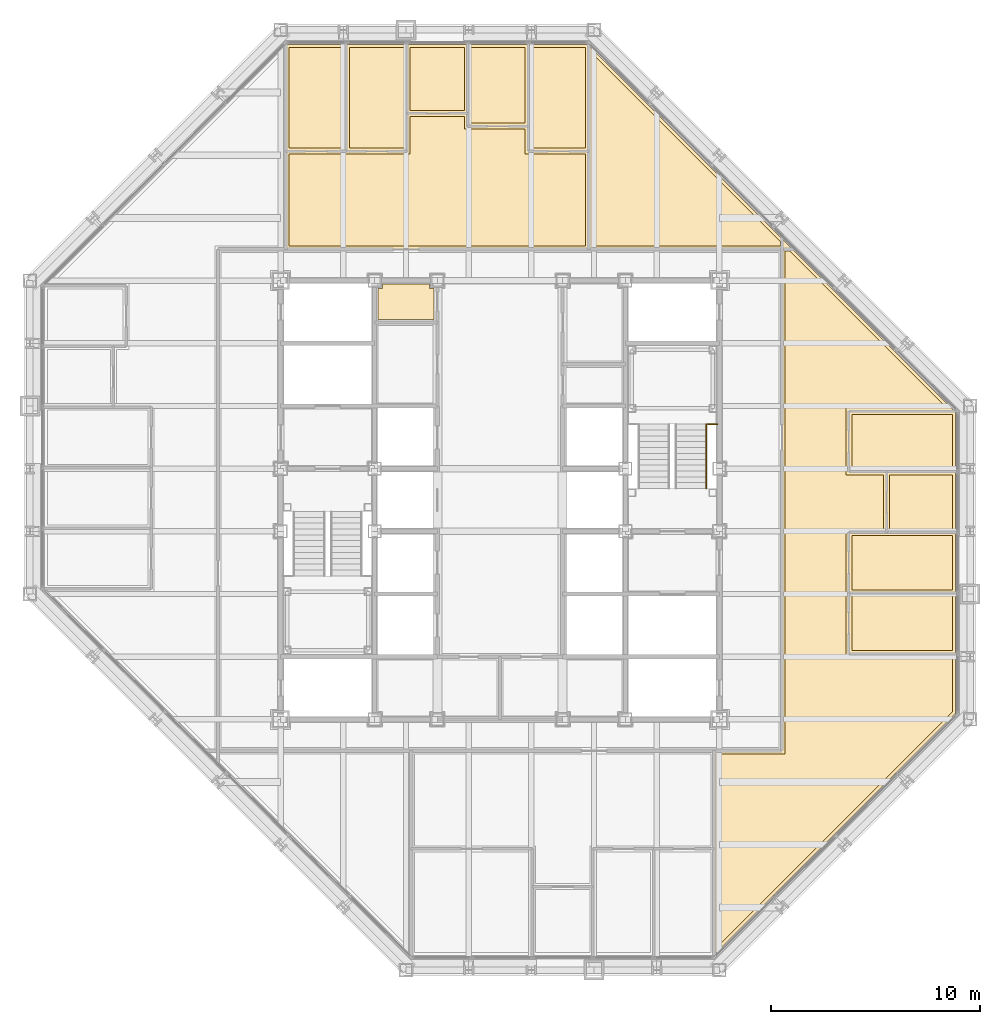
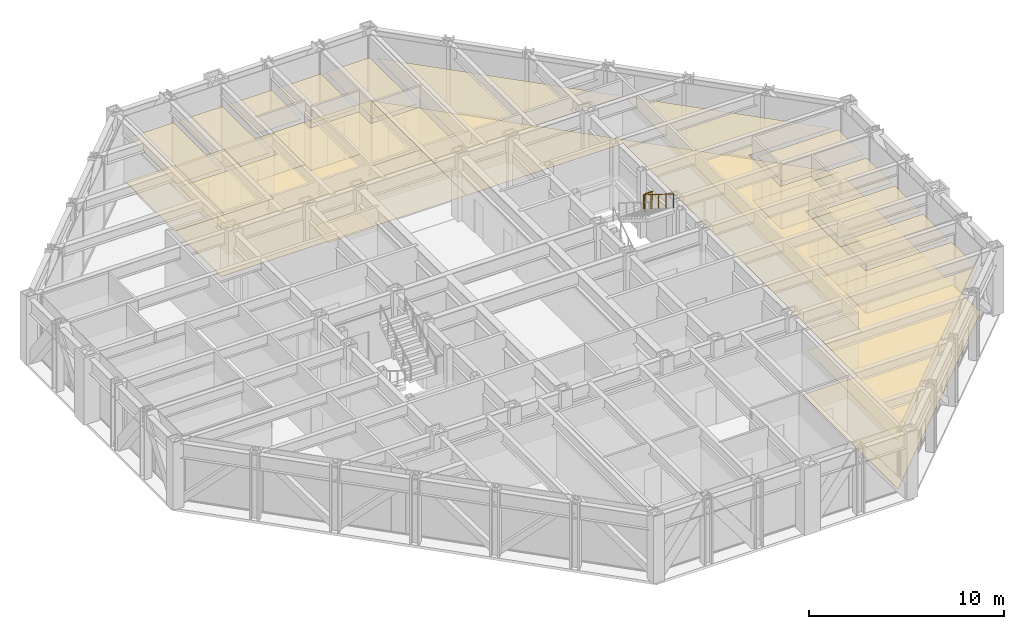
# One storey, part 16 of 16: 24 coverings, 2 railings.
"""IFC4 building model written with IfcOpenShell, lengths in metres."""

from ifc_helpers import new_model, si_unit, direction, frame, origin, origin_2d, place, context, subcontext, project, spatial, polyline, circle, outline, extrude, material, layer, layer_set, type_object, element, save


model = new_model("IFC4")

# Units and contexts
model_context = context("Model", 3, precision=1e-05, world=origin(), true_north=direction((0.0, 1.0)))
body_context = subcontext(model_context, "Body", "Model", "MODEL_VIEW")
ifc_project = project(units=[si_unit("LENGTHUNIT", "METRE"), si_unit("AREAUNIT", "SQUARE_METRE"), si_unit("VOLUMEUNIT", "CUBIC_METRE"), si_unit("PLANEANGLEUNIT", "RADIAN"), si_unit("MASSUNIT", "GRAM", prefix="KILO")], contexts=[model_context])

# Site, building, storey
site_placement = place(None, origin())
site = spatial("IfcSite", under=ifc_project, at=site_placement, CompositionType="ELEMENT")
building_placement = place(site_placement, origin())
building = spatial("IfcBuilding", under=site, at=building_placement, Name="Chuquiago Exchange Tower", CompositionType="ELEMENT")
storey_placement = place(building_placement, frame((0.0, 0.0, 205.5)))
storey = spatial("IfcBuildingStorey", under=building, at=storey_placement, Name="L45", CompositionType="ELEMENT", Elevation=205.5)

# Coverings
ifc_material_1 = material(Name="Mineral fibre tile, 600 x 600, on pale metal grid", Category="mineral fibre")
ifc_layer_1 = layer(ifc_material_1, 0.02001953125)
ifc_layer_set_1 = layer_set([ifc_layer_1], Name="CL1 suspended tile ceiling 20")
covering_type_1 = type_object("IfcCoveringType", Name="CL1 suspended tile ceiling 20", PredefinedType="CEILING", material=ifc_layer_set_1)
covering_1_placement = place(storey_placement, frame((0.0, 0.0, 2.800048828125)))
element("IfcCovering", 1, at=covering_1_placement, inside=storey, type_object=covering_type_1, Name="Ceiling Office", PredefinedType="CEILING", context=body_context, shape_type="SweptSolid", body=[
    extrude(outline(polyline([(39.35009765625, 15.299072265625), (39.35009765625, 17.899658203125), (44.14990234375, 17.899658203125), (44.14990234375, 15.299072265625), (39.35009765625, 15.299072265625)])), origin(), (0.0, 0.0, 1.0), 0.02001953125),
])
covering_2_placement = place(storey_placement, frame((0.0, 0.0, 2.800048828125)))
element("IfcCovering", 2, at=covering_2_placement, inside=storey, type_object=covering_type_1, Name="Ceiling Office", PredefinedType="CEILING", context=body_context, shape_type="SweptSolid", body=[
    extrude(outline(polyline([(39.35009765625, 18.19970703125), (39.35009765625, 20.80029296875), (44.14990234375, 20.80029296875), (44.14990234375, 18.19970703125), (39.35009765625, 18.19970703125)])), origin(), (0.0, 0.0, 1.0), 0.02001953125),
])
covering_3_placement = place(storey_placement, frame((0.0, 0.0, 2.800048828125)))
element("IfcCovering", 3, at=covering_3_placement, inside=storey, type_object=covering_type_1, Name="Ceiling Focus room", PredefinedType="CEILING", context=body_context, shape_type="SweptSolid", body=[
    extrude(outline(polyline([(41.14990234375, 21.100341796875), (41.14990234375, 23.700927734375), (44.14990234375, 23.700927734375), (44.14990234375, 21.100341796875), (41.14990234375, 21.100341796875)])), origin(), (0.0, 0.0, 1.0), 0.02001953125),
])
covering_4_placement = place(storey_placement, frame((0.0, 0.0, 2.800048828125)))
element("IfcCovering", 4, at=covering_4_placement, inside=storey, type_object=covering_type_1, Name="Ceiling Meeting room", PredefinedType="CEILING", context=body_context, shape_type="SweptSolid", body=[
    extrude(outline(polyline([(44.14990234375, 24.0009765625), (39.35009765625, 24.0009765625), (39.35009765625, 26.6015625), (44.14990234375, 26.6015625), (44.14990234375, 24.0009765625)])), origin(), (0.0, 0.0, 1.0), 0.02001953125),
])
covering_5_placement = place(storey_placement, frame((0.0, 0.0, 2.800048828125)))
element("IfcCovering", 5, at=covering_5_placement, inside=storey, type_object=covering_type_1, Name="Ceiling Office", PredefinedType="CEILING", context=body_context, shape_type="SweptSolid", body=[
    extrude(outline(polyline([(14.9990234375, 44.14990234375), (14.9990234375, 39.35009765625), (12.3984375, 39.35009765625), (12.3984375, 44.14990234375), (14.9990234375, 44.14990234375)])), origin(), (0.0, 0.0, 1.0), 0.02001953125),
])
covering_6_placement = place(storey_placement, frame((0.0, 0.0, 2.800048828125)))
element("IfcCovering", 6, at=covering_6_placement, inside=storey, type_object=covering_type_1, Name="Ceiling Office", PredefinedType="CEILING", context=body_context, shape_type="SweptSolid", body=[
    extrude(outline(polyline([(17.899658203125, 39.35009765625), (15.299072265625, 39.35009765625), (15.299072265625, 44.14990234375), (17.899658203125, 44.14990234375), (17.899658203125, 39.35009765625)])), origin(), (0.0, 0.0, 1.0), 0.02001953125),
])
covering_7_placement = place(storey_placement, frame((0.0, 0.0, 2.800048828125)))
element("IfcCovering", 7, at=covering_7_placement, inside=storey, type_object=covering_type_1, Name="Ceiling Focus room", PredefinedType="CEILING", context=body_context, shape_type="SweptSolid", body=[
    extrude(outline(polyline([(20.80029296875, 41.14990234375), (18.19970703125, 41.14990234375), (18.19970703125, 44.14990234375), (20.80029296875, 44.14990234375), (20.80029296875, 41.14990234375)])), origin(), (0.0, 0.0, 1.0), 0.02001953125),
])
covering_8_placement = place(storey_placement, frame((0.0, 0.0, 2.800048828125)))
element("IfcCovering", 8, at=covering_8_placement, inside=storey, type_object=covering_type_1, Name="Ceiling Pantry", PredefinedType="CEILING", context=body_context, shape_type="SweptSolid", body=[
    extrude(outline(polyline([(23.700927734375, 40.550048828125), (21.100341796875, 40.550048828125), (21.100341796875, 44.14990234375), (23.700927734375, 44.14990234375), (23.700927734375, 40.550048828125)])), origin(), (0.0, 0.0, 1.0), 0.02001953125),
])
covering_9_placement = place(storey_placement, frame((0.0, 0.0, 2.800048828125)))
element("IfcCovering", 9, at=covering_9_placement, inside=storey, type_object=covering_type_1, Name="Ceiling Meeting room", PredefinedType="CEILING", context=body_context, shape_type="SweptSolid", body=[
    extrude(outline(polyline([(26.6015625, 39.35009765625), (24.0009765625, 39.35009765625), (24.0009765625, 44.14990234375), (26.6015625, 44.14990234375), (26.6015625, 39.35009765625)])), origin(), (0.0, 0.0, 1.0), 0.02001953125),
])
covering_10_placement = place(storey_placement, frame((0.0, 0.0, 2.800048828125)))
element("IfcCovering", 10, at=covering_10_placement, inside=storey, type_object=covering_type_1, Name="Ceiling Open office north suite", PredefinedType="CEILING", context=body_context, shape_type="SweptSolid", body=[
    extrude(outline(polyline([(18.19970703125, 39.050048828125), (18.19970703125, 40.85009765625), (20.80029296875, 40.85009765625), (20.80029296875, 40.25), (23.700927734375, 40.25), (23.700927734375, 39.050048828125), (26.60107421875, 39.050048828125), (26.60107421875, 34.650390625), (12.39892578125, 34.650390625), (12.39892578125, 39.050048828125), (18.19970703125, 39.050048828125)])), origin(), (0.0, 0.0, 1.0), 0.02001953125),
])
covering_11_placement = place(storey_placement, frame((0.0, 0.0, 2.800048828125)))
element("IfcCovering", 11, at=covering_11_placement, inside=storey, type_object=covering_type_1, Name="Ceiling Open office east suite", PredefinedType="CEILING", context=body_context, shape_type="SweptSolid", body=[
    extrude(outline(polyline([(43.896484375, 26.901611328125), (39.050048828125, 26.901611328125), (39.050048828125, 23.700927734375), (40.85009765625, 23.700927734375), (40.85009765625, 21.100341796875), (39.050048828125, 21.100341796875), (39.050048828125, 14.9990234375), (44.14990234375, 14.9990234375), (44.14990234375, 12.35205078125), (32.902099609375, 1.10400390625), (32.902099609375, 10.349609375), (36.150390625, 10.35009765625), (36.150390625, 34.4150390625), (36.383056640625, 34.4150390625), (43.896484375, 26.901611328125)])), origin(), (0.0, 0.0, 1.0), 0.02001953125),
])
covering_12_placement = place(storey_placement, frame((0.0, 0.0, 2.800048828125)))
element("IfcCovering", 12, at=covering_12_placement, inside=storey, type_object=covering_type_1, Name="Ceiling Open office east suite", PredefinedType="CEILING", context=body_context, shape_type="SweptSolid", body=[
    extrude(outline(polyline([(26.902099609375, 34.650390625), (26.902099609375, 43.89599609375), (35.9150390625, 34.883056640625), (35.9150390625, 34.64990234375), (26.902099609375, 34.650390625)])), origin(), (0.0, 0.0, 1.0), 0.02001953125),
])
ifc_material_2 = material(Name="Moisture resistant plasterboard on metal frame", Category="gypsum")
ifc_layer_2 = layer(ifc_material_2, 0.014892578125)
ifc_layer_set_2 = layer_set([ifc_layer_2], Name="CL2 moisture resistant ceiling 15")
covering_type_2 = type_object("IfcCoveringType", Name="CL2 moisture resistant ceiling 15", PredefinedType="CEILING", material=ifc_layer_set_2)
covering_13_placement = place(storey_placement, frame((0.0, 0.0, 2.60009765625)))
element("IfcCovering", 13, at=covering_13_placement, inside=storey, type_object=covering_type_2, Name="Ceiling Staff shower room", PredefinedType="CEILING", context=body_context, shape_type="SweptSolid", body=[
    extrude(outline(polyline([(16.64990234375, 31.14990234375), (16.64990234375, 32.625), (16.875, 32.625), (16.875, 32.85009765625), (19.125, 32.85009765625), (19.125, 32.625), (19.35009765625, 32.625), (19.35009765625, 31.14990234375), (16.64990234375, 31.14990234375)])), origin(), (0.0, 0.0, 1.0), 0.014892578125),
])
ifc_material_3 = material(Name="Carpet tile, 500 x 500, on the floor slab", Category="textile")
ifc_layer_3 = layer(ifc_material_3, 0.010009765625)
ifc_layer_set_3 = layer_set([ifc_layer_3], Name="FL1 carpet tile 10")
covering_type_3 = type_object("IfcCoveringType", Name="FL1 carpet tile 10", PredefinedType="FLOORING", material=ifc_layer_set_3)
covering_14_placement = place(storey_placement, origin())
element("IfcCovering", 14, at=covering_14_placement, inside=storey, type_object=covering_type_3, Name="Floor finish Office", PredefinedType="FLOORING", context=body_context, shape_type="SweptSolid", body=[
    extrude(outline(polyline([(44.300048828125, 15.149169921875), (39.199951171875, 15.149169921875), (39.199951171875, 18.0498046875), (44.300048828125, 18.0498046875), (44.300048828125, 15.149169921875)])), origin(), (0.0, 0.0, 1.0), 0.010009765625),
])
covering_15_placement = place(storey_placement, origin())
element("IfcCovering", 15, at=covering_15_placement, inside=storey, type_object=covering_type_3, Name="Floor finish Office", PredefinedType="FLOORING", context=body_context, shape_type="SweptSolid", body=[
    extrude(outline(polyline([(44.300048828125, 18.0498046875), (39.199951171875, 18.0498046875), (39.199951171875, 20.9501953125), (44.300048828125, 20.9501953125), (44.300048828125, 18.0498046875)])), origin(), (0.0, 0.0, 1.0), 0.010009765625),
])
covering_16_placement = place(storey_placement, origin())
element("IfcCovering", 16, at=covering_16_placement, inside=storey, type_object=covering_type_3, Name="Floor finish Focus room", PredefinedType="FLOORING", context=body_context, shape_type="SweptSolid", body=[
    extrude(outline(polyline([(44.300048828125, 20.9501953125), (41.0, 20.9501953125), (41.0, 23.850830078125), (44.300048828125, 23.850830078125), (44.300048828125, 20.9501953125)])), origin(), (0.0, 0.0, 1.0), 0.010009765625),
])
covering_17_placement = place(storey_placement, origin())
element("IfcCovering", 17, at=covering_17_placement, inside=storey, type_object=covering_type_3, Name="Floor finish Meeting room", PredefinedType="FLOORING", context=body_context, shape_type="SweptSolid", body=[
    extrude(outline(polyline([(44.300048828125, 26.710205078125), (44.300048828125, 23.850830078125), (39.199951171875, 23.850830078125), (39.199951171875, 26.75146484375), (44.258544921875, 26.75146484375), (44.300048828125, 26.710205078125)])), origin(), (0.0, 0.0, 1.0), 0.010009765625),
])
covering_18_placement = place(storey_placement, origin())
element("IfcCovering", 18, at=covering_18_placement, inside=storey, type_object=covering_type_3, Name="Floor finish Office", PredefinedType="FLOORING", context=body_context, shape_type="SweptSolid", body=[
    extrude(outline(polyline([(12.289794921875, 44.300048828125), (15.149169921875, 44.300048828125), (15.149169921875, 39.199951171875), (12.24853515625, 39.199951171875), (12.24853515625, 44.258544921875), (12.289794921875, 44.300048828125)])), origin(), (0.0, 0.0, 1.0), 0.010009765625),
])
covering_19_placement = place(storey_placement, origin())
element("IfcCovering", 19, at=covering_19_placement, inside=storey, type_object=covering_type_3, Name="Floor finish Office", PredefinedType="FLOORING", context=body_context, shape_type="SweptSolid", body=[
    extrude(outline(polyline([(18.0498046875, 44.300048828125), (18.0498046875, 39.199951171875), (15.149169921875, 39.199951171875), (15.149169921875, 44.300048828125), (18.0498046875, 44.300048828125)])), origin(), (0.0, 0.0, 1.0), 0.010009765625),
])
covering_20_placement = place(storey_placement, origin())
element("IfcCovering", 20, at=covering_20_placement, inside=storey, type_object=covering_type_3, Name="Floor finish Focus room", PredefinedType="FLOORING", context=body_context, shape_type="SweptSolid", body=[
    extrude(outline(polyline([(20.9501953125, 44.300048828125), (20.9501953125, 41.0), (18.0498046875, 41.0), (18.0498046875, 44.300048828125), (20.9501953125, 44.300048828125)])), origin(), (0.0, 0.0, 1.0), 0.010009765625),
])
covering_21_placement = place(storey_placement, origin())
element("IfcCovering", 21, at=covering_21_placement, inside=storey, type_object=covering_type_3, Name="Floor finish Meeting room", PredefinedType="FLOORING", context=body_context, shape_type="SweptSolid", body=[
    extrude(outline(polyline([(26.710205078125, 44.300048828125), (26.75146484375, 44.258544921875), (26.75146484375, 39.199951171875), (23.850830078125, 39.199951171875), (23.850830078125, 44.300048828125), (26.710205078125, 44.300048828125)])), origin(), (0.0, 0.0, 1.0), 0.010009765625),
])
covering_22_placement = place(storey_placement, origin())
element("IfcCovering", 22, at=covering_22_placement, inside=storey, type_object=covering_type_3, Name="Floor finish Open office north suite", PredefinedType="FLOORING", context=body_context, shape_type="SweptSolid", body=[
    extrude(outline(polyline([(12.2490234375, 39.199951171875), (18.0498046875, 39.199951171875), (18.0498046875, 41.0), (20.9501953125, 41.0), (20.9501953125, 40.39990234375), (23.850830078125, 40.39990234375), (23.850830078125, 39.199951171875), (26.7509765625, 39.199951171875), (26.7509765625, 34.50048828125), (12.2490234375, 34.50048828125), (12.2490234375, 39.199951171875)])), origin(), (0.0, 0.0, 1.0), 0.010009765625),
])
covering_23_placement = place(storey_placement, origin())
element("IfcCovering", 23, at=covering_23_placement, inside=storey, type_object=covering_type_3, Name="Floor finish Open office east suite", PredefinedType="FLOORING", context=body_context, shape_type="SweptSolid", body=[
    extrude(outline(polyline([(44.258544921875, 26.75146484375), (39.199951171875, 26.75146484375), (39.199951171875, 23.850830078125), (41.0, 23.850830078125), (41.0, 20.9501953125), (39.199951171875, 20.9501953125), (39.199951171875, 15.149169921875), (44.300048828125, 15.149169921875), (44.300048828125, 12.289794921875), (32.751953125, 0.741943359375), (32.751953125, 10.49951171875), (36.00048828125, 10.5), (36.00048828125, 34.5), (26.751953125, 34.50048828125), (26.751953125, 44.258056640625), (44.258544921875, 26.75146484375)])), origin(), (0.0, 0.0, 1.0), 0.010009765625),
])
ifc_material_4 = material(Name="Porcelain floor tile, 600 x 600, on adhesive bed", Category="ceramic")
ifc_layer_4 = layer(ifc_material_4, 0.014892578125)
ifc_layer_set_4 = layer_set([ifc_layer_4], Name="FL2 porcelain tile 15")
covering_type_4 = type_object("IfcCoveringType", Name="FL2 porcelain tile 15", PredefinedType="FLOORING", material=ifc_layer_set_4)
covering_24_placement = place(storey_placement, origin())
element("IfcCovering", 24, at=covering_24_placement, inside=storey, type_object=covering_type_4, Name="Floor finish Pantry", PredefinedType="FLOORING", context=body_context, shape_type="SweptSolid", body=[
    extrude(outline(polyline([(23.850830078125, 44.300048828125), (23.850830078125, 40.39990234375), (20.9501953125, 40.39990234375), (20.9501953125, 44.300048828125), (23.850830078125, 44.300048828125)])), origin(), (0.0, 0.0, 1.0), 0.014892578125),
])

# Railings
ifc_material_5 = material(Name="Pale metal guard with safety glass infill", Category="glass")
railing_type_1 = type_object("IfcRailingType", Name="GR1 guard 1100", PredefinedType="GUARDRAIL", material=ifc_material_5)
railing_1_placement = place(storey_placement, frame((32.445068359375, 26.1298828125, 2.10009765625)))
element("IfcRailing", 25, at=railing_1_placement, inside=storey, type_object=railing_type_1, Name="Guard ST2 L45 landing 2", PredefinedType="GUARDRAIL", context=body_context, shape_type="SweptSolid", body=[
    extrude(circle(Radius=0.02392578125, at=origin_2d()), frame((0.0, 0.0, 1.076171875), z_axis=(1.0, 0.0, 0.0), x_axis=(0.0, 1.0, 0.0)), (0.0, 0.0, 1.0), 0.454833984375),
    extrude(circle(Radius=0.02099609375, at=origin_2d()), origin(), (0.0, 0.0, 1.0), 1.052001953125),
    extrude(circle(Radius=0.02099609375, at=origin_2d()), frame((0.454833984375, 0.0, 0.0)), (0.0, 0.0, 1.0), 1.052001953125),
])
ifc_material_6 = material(Name="Pale metal handrail", Category="steel")
railing_type_2 = type_object("IfcRailingType", Name="HR1 handrail 900", PredefinedType="HANDRAIL", material=ifc_material_6)
railing_2_placement = place(storey_placement, frame((32.364990234375, 26.1298828125, 2.27490234375)))
element("IfcRailing", 26, at=railing_2_placement, inside=storey, type_object=railing_type_2, Name="Handrail ST2 L45 flight 2", PredefinedType="HANDRAIL", context=body_context, shape_type="SweptSolid", body=[
    extrude(circle(Radius=0.02392578125, at=origin_2d()), frame((0.0, 0.0, 0.8759765625), z_axis=(0.0, -0.847979421464, 0.530029150871), x_axis=(1.0, 0.0, 0.0)), (0.0, 0.0, 1.0), 3.632080078125),
    extrude(circle(Radius=0.02099609375, at=origin_2d()), origin(), (0.0, 0.0, 1.0), 0.851806640625),
    extrude(circle(Radius=0.02099609375, at=origin_2d()), frame((0.0, -0.77001953125, 0.481201171875)), (0.0, 0.0, 1.0), 0.851806640625),
    extrude(circle(Radius=0.02099609375, at=origin_2d()), frame((0.0, -1.5400390625, 0.96240234375)), (0.0, 0.0, 1.0), 0.851806640625),
    extrude(circle(Radius=0.02099609375, at=origin_2d()), frame((0.0, -2.309814453125, 1.44384765625)), (0.0, 0.0, 1.0), 0.851806640625),
    extrude(circle(Radius=0.02099609375, at=origin_2d()), frame((0.0, -3.079833984375, 1.925048828125)), (0.0, 0.0, 1.0), 0.851806640625),
])

save(model, "model.ifc")
